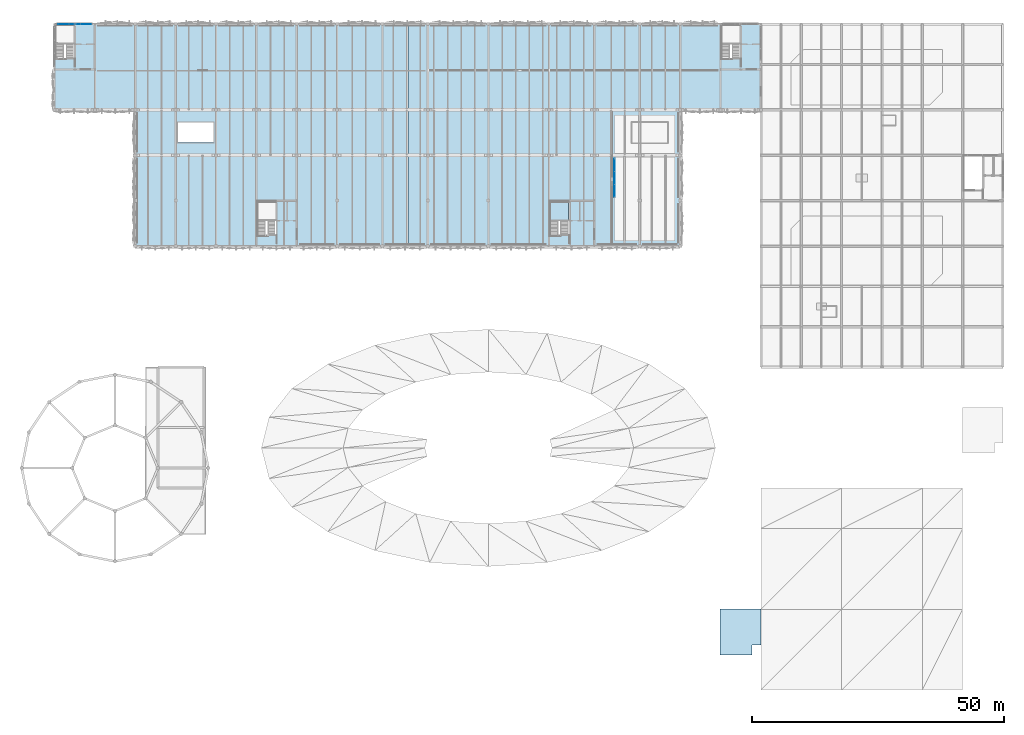
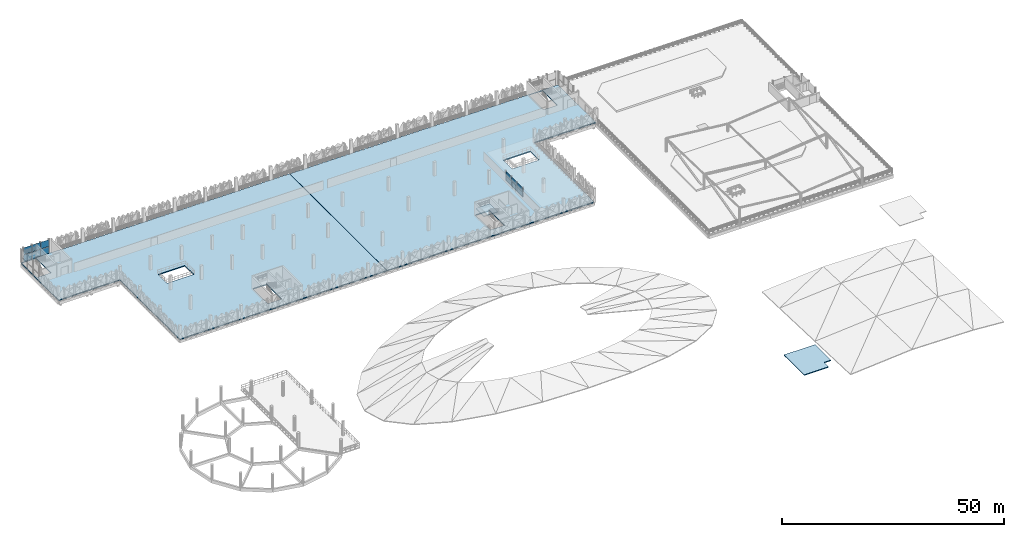
# One storey, part 22 of 52: 12 plates, 4 slabs, 3 elements without a shape of their own.
"""IFC4 building model written with IfcOpenShell, lengths in metres."""

import ifcopenshell
import ifcopenshell.guid

model = None  # the IFC model being written
_history = None  # IfcOwnerHistory: only IFC2X3 demands one
_inside = {}  # id of a spatial element -> (the spatial element, [elements in it])
_under = {}  # id of a project, library or spatial element -> (it, [spatial elements below it])
_declared = {}  # id of a project -> (the project, [libraries it declares])
_typed = {}  # id of a type object -> (the type object, [elements of that type])
_made_of = {}  # id of a material, layer set ... -> (it, [elements and type objects made of it])


def new_model(schema):
    """Start an empty IFC model of exactly this schema.

    Asked for "IFC4X3", IfcOpenShell would pick the latest addendum, in which some entities
    have other attributes; the version numbers below select the first issue.
    IFC2X3 requires an IfcOwnerHistory on every rooted entity: one is made here for all.
    """
    global model, _history
    if schema == "IFC4X3":
        model = ifcopenshell.file(schema_version=(4, 3, 0, 0))
    else:
        model = ifcopenshell.file(schema=schema)
    _inside.clear()
    _under.clear()
    _declared.clear()
    _typed.clear()
    _made_of.clear()
    _history = None
    if model.schema == "IFC2X3":
        org = make("IfcOrganization", Name="unknown")
        user = make(
            "IfcPersonAndOrganization",
            ThePerson=make("IfcPerson", FamilyName="unknown"),
            TheOrganization=org,
        )
        app = make(
            "IfcApplication",
            ApplicationDeveloper=org,
            Version="unknown",
            ApplicationFullName="unknown",
            ApplicationIdentifier="unknown",
        )
        _history = make(
            "IfcOwnerHistory",
            OwningUser=user,
            OwningApplication=app,
            ChangeAction="ADDED",
            CreationDate=0,
        )
    return model


def make(cls, **values):
    """One entity of the class cls with the attributes given. An attribute that is None is left unset."""
    return model.create_entity(
        cls, **{name: value for name, value in values.items() if value is not None}
    )


def rooted(cls, **values):
    """An entity with a GlobalId (a new one), such as an element, a storey or a relation."""
    return make(cls, GlobalId=ifcopenshell.guid.new(), OwnerHistory=_history, **values)


def si_unit(unit_type, name, prefix=None):
    """IfcSIUnit, for example si_unit("LENGTHUNIT", "METRE", prefix="MILLI")."""
    return make("IfcSIUnit", UnitType=unit_type, Prefix=prefix, Name=name)


def derived_unit(unit_type, elements):
    """IfcDerivedUnit: a product of units, each with its exponent."""
    return make(
        "IfcDerivedUnit",
        Elements=[
            make("IfcDerivedUnitElement", Unit=unit, Exponent=power)
            for unit, power in elements
        ],
        UnitType=unit_type,
    )


def assignment(units):
    """IfcUnitAssignment: the units of a project."""
    return None if units is None else make("IfcUnitAssignment", Units=units)


def point(xyz):
    """IfcCartesianPoint."""
    return None if xyz is None else make("IfcCartesianPoint", Coordinates=xyz)


def direction(xyz):
    """IfcDirection."""
    return None if xyz is None else make("IfcDirection", DirectionRatios=xyz)


def frame(location, z_axis=None, x_axis=None):
    """IfcAxis2Placement3D, a coordinate frame: its origin and axes. An axis left out is left unset."""
    return make(
        "IfcAxis2Placement3D",
        Location=point(location),
        Axis=direction(z_axis),
        RefDirection=direction(x_axis),
    )


def frame_2d(location, x_axis=None):
    """IfcAxis2Placement2D, a coordinate frame in the plane: its origin and x axis."""
    return make(
        "IfcAxis2Placement2D", Location=point(location), RefDirection=direction(x_axis)
    )


def origin():
    """The frame at (0, 0, 0) with its axes left unset."""
    return frame((0.0, 0.0, 0.0))


def origin_2d():
    """The frame at (0, 0) in the plane with its x axis left unset."""
    return frame_2d((0.0, 0.0))


def place(relative_to, where):
    """IfcLocalPlacement: puts the frame where relative to a parent placement (None: the world)."""
    return make(
        "IfcLocalPlacement", PlacementRelTo=relative_to, RelativePlacement=where
    )


def context(
    kind, dimensions, precision=None, world=None, true_north=None, identifier=None
):
    """IfcGeometricRepresentationContext, for example the 3D "Model" context."""
    return make(
        "IfcGeometricRepresentationContext",
        ContextIdentifier=identifier,
        ContextType=kind,
        CoordinateSpaceDimension=dimensions,
        Precision=precision,
        WorldCoordinateSystem=world,
        TrueNorth=true_north,
    )


def subcontext(parent, identifier, kind, view, scale=None):
    """IfcGeometricRepresentationSubContext, for example "Body" below "Model"."""
    return make(
        "IfcGeometricRepresentationSubContext",
        ContextIdentifier=identifier,
        ContextType=kind,
        ParentContext=parent,
        TargetScale=scale,
        TargetView=view,
    )


def project(units=None, contexts=None):
    """IfcProject with its units and contexts."""
    return rooted(
        "IfcProject",
        Name="project",
        RepresentationContexts=contexts,
        UnitsInContext=assignment(units),
    )


def spatial(cls, under=None, at=None, **own):
    """A site, building, storey or space (cls), placed at a placement, below another one or the project."""
    s = rooted(cls, ObjectPlacement=at, **own)
    if under is not None:
        _under.setdefault(under.id(), (under, []))[1].append(s)
    return s


def polyline(points):
    """IfcPolyline through the points."""
    return make("IfcPolyline", Points=[point(p) for p in points])


def profile(cls, at=None, kind="AREA", **sizes):
    """A parametric profile (cls). Its sizes go by their IFC names, for example OverallWidth=200.0."""
    return make(cls, ProfileType=kind, Position=at, **sizes)


def rectangle(**sizes):
    """IfcRectangleProfileDef."""
    return profile("IfcRectangleProfileDef", **sizes)


def outline(outer, holes=None, kind="AREA"):
    """IfcArbitraryClosedProfileDef: a profile drawn as a closed curve; with holes, ...WithVoids."""
    if holes is None:
        return make("IfcArbitraryClosedProfileDef", ProfileType=kind, OuterCurve=outer)
    return make(
        "IfcArbitraryProfileDefWithVoids",
        ProfileType=kind,
        OuterCurve=outer,
        InnerCurves=holes,
    )


def extrude(swept, where, along, depth):
    """IfcExtrudedAreaSolid: the profile swept, set in the frame where, extruded along a direction by depth."""
    return make(
        "IfcExtrudedAreaSolid",
        SweptArea=swept,
        Position=where,
        ExtrudedDirection=direction(along),
        Depth=depth,
    )


def shape(context_of_items, identifier, shape_type, items):
    """IfcShapeRepresentation: the items that make up one representation, for example the "Body"."""
    return make(
        "IfcShapeRepresentation",
        ContextOfItems=context_of_items,
        RepresentationIdentifier=identifier,
        RepresentationType=shape_type,
        Items=items,
    )


def material(Name=None, Category=None):
    """IfcMaterial."""
    return make("IfcMaterial", Name=Name, Category=Category)


def layer(
    of_material, thickness, ventilated=None, Name=None, Category=None, Priority=None
):
    """IfcMaterialLayer: one layer of a wall or slab, of a material (None: an air gap)."""
    return make(
        "IfcMaterialLayer",
        Material=of_material,
        LayerThickness=thickness,
        IsVentilated=ventilated,
        Name=Name,
        Category=Category,
        Priority=Priority,
    )


def layer_set(layers, Name=None):
    """IfcMaterialLayerSet."""
    return make("IfcMaterialLayerSet", MaterialLayers=layers, LayerSetName=Name)


def made_of(thing, what):
    """Note that an element or type object is made of a material, layer set ...; save() writes the relation."""
    if what is not None:
        _made_of.setdefault(what.id(), (what, []))[1].append(thing)
    return thing


def type_object(cls, material=None, **own):
    """A type object (cls), such as IfcWallType, which elements share."""
    return made_of(rooted(cls, **own), material)


def element(
    cls,
    number,
    at=None,
    inside=None,
    cuts=None,
    type_object=None,
    material=None,
    context=None,
    identifier="Body",
    shape_type=None,
    held_by="IfcProductDefinitionShape",
    body=None,
    shapes=None,
    **own,
):
    """One element of the class cls, such as IfcWall. Its Tag is "e" and its number.

    at: its placement. inside: the storey or other place that contains it. cuts: it is an
    opening in that element (IfcRelVoidsElement). A single representation is given by context,
    identifier, shape_type and body (its items); several are given by shapes. held_by: the class
    of the entity that holds the representations. save() writes the other relations.
    """
    e = rooted(cls, Tag="e%d" % number, ObjectPlacement=at, **own)
    if body is not None:
        shapes = [shape(context, identifier, shape_type, body)]
    if shapes is not None:
        e.Representation = make(held_by, Representations=shapes)
    if inside is not None:
        _inside.setdefault(inside.id(), (inside, []))[1].append(e)
    if cuts is not None:
        rooted(
            "IfcRelVoidsElement", RelatingBuildingElement=cuts, RelatedOpeningElement=e
        )
    if type_object is not None:
        _typed.setdefault(type_object.id(), (type_object, []))[1].append(e)
    return made_of(e, material)


def aggregate(whole, parts):
    """IfcRelAggregates: a whole, such as a stair, and the parts it consists of."""
    return rooted("IfcRelAggregates", RelatingObject=whole, RelatedObjects=parts)


def save(model, path):
    """Write the relations noted so far, then the file.

    IfcRelAggregates (storeys below a building ...), IfcRelContainedInSpatialStructure (elements
    in a storey), IfcRelDefinesByType, IfcRelAssociatesMaterial and IfcRelDeclares: one each for
    every whole, place, type object, material and project.
    """
    for whole, parts in _under.values():
        aggregate(whole, parts)
    for where, things in _inside.values():
        rooted(
            "IfcRelContainedInSpatialStructure",
            RelatedElements=things,
            RelatingStructure=where,
        )
    for kind, things in _typed.values():
        rooted("IfcRelDefinesByType", RelatedObjects=things, RelatingType=kind)
    for what, things in _made_of.values():
        rooted("IfcRelAssociatesMaterial", RelatedObjects=things, RelatingMaterial=what)
    for by, libraries in _declared.values():
        rooted("IfcRelDeclares", RelatingContext=by, RelatedDefinitions=libraries)
    model.write(path)


model = new_model("IFC4")

# Units and contexts
model_context = context("Model", 3, precision=1e-05, world=origin(), true_north=direction((0.0, 1.0)))
body_context = subcontext(model_context, "Body", "Model", "MODEL_VIEW")
ifc_project = project(units=[si_unit("LENGTHUNIT", "METRE"), si_unit("AREAUNIT", "SQUARE_METRE"), si_unit("VOLUMEUNIT", "CUBIC_METRE"), si_unit("PLANEANGLEUNIT", "RADIAN"), si_unit("MASSUNIT", "GRAM", prefix="KILO"), si_unit("THERMODYNAMICTEMPERATUREUNIT", "KELVIN"), derived_unit("THERMALTRANSMITTANCEUNIT", [(si_unit("POWERUNIT", "WATT"), 1), (si_unit("AREAUNIT", "SQUARE_METRE"), -1), (si_unit("THERMODYNAMICTEMPERATUREUNIT", "KELVIN"), -1)])], contexts=[model_context])

# Site, building, storey
site_placement = place(None, origin())
site = spatial("IfcSite", under=ifc_project, at=site_placement, CompositionType="ELEMENT")
building_placement = place(site_placement, origin())
building = spatial("IfcBuilding", under=site, at=building_placement, Name="Haiyu Intermodal Mobility Hub", CompositionType="ELEMENT")
storey_placement = place(building_placement, frame((0.0, 0.0, 21.199951171875)))
storey = spatial("IfcBuildingStorey", under=building, at=storey_placement, Name="L05", CompositionType="ELEMENT", Elevation=21.199951171875)

# Curtain wall, plates
ifc_material_1 = material(Name="Low-e laminated insulating glass", Category="glass")
ifc_layer_1 = layer(ifc_material_1, 0.199951171875)
ifc_layer_set_1 = layer_set([ifc_layer_1], Name="Low-e laminated insulating glass")
curtain_wall_type_1 = type_object("IfcCurtainWallType", Name="CW-CW03", PredefinedType="NOTDEFINED", material=ifc_layer_set_1)
curtain_wall_1_placement = place(storey_placement, origin())
curtain_wall_1 = element("IfcCurtainWall", 1, at=curtain_wall_1_placement, inside=storey, type_object=curtain_wall_type_1, Name="Curtain Wall CW-C3N-L05-059", PredefinedType="NOTDEFINED")
ifc_layer_2 = layer(ifc_material_1, 0.0400390625)
ifc_layer_set_2 = layer_set([ifc_layer_2], Name="Low-e laminated insulating glass")
plate_type_1 = type_object("IfcPlateType", Name="PLT-CP03", PredefinedType="CURTAIN_PANEL", material=ifc_layer_set_2)
plate_1_placement = place(storey_placement, frame((28.22705078125, 148.0, 0.03515625), z_axis=(0.0, 0.0, 1.0), x_axis=(-1.0, 0.0, 0.0)))
plate_1 = element("IfcPlate", 2, at=plate_1_placement, type_object=plate_type_1, Name="CW-C3N-L05-059-PN01", PredefinedType="CURTAIN_PANEL", context=body_context, shape_type="SweptSolid", body=[
    extrude(rectangle(XDim=2.136962890625, YDim=0.0400390625, at=origin_2d()), origin(), (0.0, 0.0, 1.0), 1.840087890625),
])
plate_2_placement = place(storey_placement, frame((26.0, 148.0, 0.03515625), z_axis=(0.0, 0.0, 1.0), x_axis=(-1.0, 0.0, 0.0)))
plate_2 = element("IfcPlate", 3, at=plate_2_placement, type_object=plate_type_1, Name="CW-C3N-L05-059-PN03", PredefinedType="CURTAIN_PANEL", context=body_context, shape_type="SweptSolid", body=[
    extrude(rectangle(XDim=2.136962890625, YDim=0.0400390625, at=origin_2d()), origin(), (0.0, 0.0, 1.0), 1.840087890625),
])
plate_3_placement = place(storey_placement, frame((23.77294921875, 148.0, 0.03515625), z_axis=(0.0, 0.0, 1.0), x_axis=(-1.0, 0.0, 0.0)))
plate_3 = element("IfcPlate", 4, at=plate_3_placement, type_object=plate_type_1, Name="CW-C3N-L05-059-PN05", PredefinedType="CURTAIN_PANEL", context=body_context, shape_type="SweptSolid", body=[
    extrude(rectangle(XDim=2.136962890625, YDim=0.0400390625, at=origin_2d()), origin(), (0.0, 0.0, 1.0), 1.840087890625),
])

ifc_layer_3 = layer(ifc_material_1, 0.179931640625)
ifc_layer_set_3 = layer_set([ifc_layer_3], Name="Low-e laminated insulating glass")
curtain_wall_type_2 = type_object("IfcCurtainWallType", Name="CW-CW06", PredefinedType="NOTDEFINED", material=ifc_layer_set_3)
curtain_wall_2_placement = place(storey_placement, origin())
curtain_wall_2 = element("IfcCurtainWall", 5, at=curtain_wall_2_placement, inside=storey, type_object=curtain_wall_type_2, Name="Curtain Wall CW-INT-07", PredefinedType="NOTDEFINED")
ifc_layer_4 = layer(ifc_material_1, 0.0400390625)
ifc_layer_set_4 = layer_set([ifc_layer_4], Name="Low-e laminated insulating glass")
plate_type_2 = type_object("IfcPlateType", Name="PLT-CP03-INT", PredefinedType="CURTAIN_PANEL", material=ifc_layer_set_4)
plate_4_placement = place(storey_placement, frame((133.0, 114.9599609375, 0.035400390625), z_axis=(0.0, 0.0, 1.0), x_axis=(0.0, 1.0, 0.0)))
plate_4 = element("IfcPlate", 6, at=plate_4_placement, type_object=plate_type_2, Name="CW-INT-07-PN01", PredefinedType="CURTAIN_PANEL", context=body_context, shape_type="SweptSolid", body=[
    extrude(rectangle(XDim=2.449951171875, YDim=0.0400390625, at=origin_2d()), origin(), (0.0, 0.0, 1.0), 1.205078125),
])
plate_5_placement = place(storey_placement, frame((133.0, 114.9599609375, 1.3095703125), z_axis=(0.0, 0.0, 1.0), x_axis=(0.0, 1.0, 0.0)))
plate_5 = element("IfcPlate", 7, at=plate_5_placement, type_object=plate_type_2, Name="CW-INT-07-PN02", PredefinedType="CURTAIN_PANEL", context=body_context, shape_type="SweptSolid", body=[
    extrude(rectangle(XDim=2.449951171875, YDim=0.0400390625, at=origin_2d()), origin(), (0.0, 0.0, 1.0), 1.205078125),
])
plate_6_placement = place(storey_placement, frame((133.0, 117.5, 0.035400390625), z_axis=(0.0, 0.0, 1.0), x_axis=(0.0, 1.0, 0.0)))
plate_6 = element("IfcPlate", 8, at=plate_6_placement, type_object=plate_type_2, Name="CW-INT-07-PN03", PredefinedType="CURTAIN_PANEL", context=body_context, shape_type="SweptSolid", body=[
    extrude(rectangle(XDim=2.449951171875, YDim=0.0400390625, at=origin_2d()), origin(), (0.0, 0.0, 1.0), 1.205078125),
])
plate_7_placement = place(storey_placement, frame((133.0, 117.5, 1.3095703125), z_axis=(0.0, 0.0, 1.0), x_axis=(0.0, 1.0, 0.0)))
plate_7 = element("IfcPlate", 9, at=plate_7_placement, type_object=plate_type_2, Name="CW-INT-07-PN04", PredefinedType="CURTAIN_PANEL", context=body_context, shape_type="SweptSolid", body=[
    extrude(rectangle(XDim=2.449951171875, YDim=0.0400390625, at=origin_2d()), origin(), (0.0, 0.0, 1.0), 1.205078125),
])
plate_8_placement = place(storey_placement, frame((133.0, 120.0400390625, 0.035400390625), z_axis=(0.0, 0.0, 1.0), x_axis=(0.0, 1.0, 0.0)))
plate_8 = element("IfcPlate", 10, at=plate_8_placement, type_object=plate_type_2, Name="CW-INT-07-PN05", PredefinedType="CURTAIN_PANEL", context=body_context, shape_type="SweptSolid", body=[
    extrude(rectangle(XDim=2.449951171875, YDim=0.0400390625, at=origin_2d()), origin(), (0.0, 0.0, 1.0), 1.205078125),
])
plate_9_placement = place(storey_placement, frame((133.0, 120.0400390625, 1.3095703125), z_axis=(0.0, 0.0, 1.0), x_axis=(0.0, 1.0, 0.0)))
plate_9 = element("IfcPlate", 11, at=plate_9_placement, type_object=plate_type_2, Name="CW-INT-07-PN06", PredefinedType="CURTAIN_PANEL", context=body_context, shape_type="SweptSolid", body=[
    extrude(rectangle(XDim=2.449951171875, YDim=0.0400390625, at=origin_2d()), origin(), (0.0, 0.0, 1.0), 1.205078125),
])
aggregate(curtain_wall_2, [plate_4, plate_5, plate_6, plate_7, plate_8, plate_9])

# Plate
ifc_layer_5 = layer(ifc_material_1, 0.0439453125)
ifc_layer_set_5 = layer_set([ifc_layer_5], Name="Low-e laminated insulating glass")
plate_type_3 = type_object("IfcPlateType", Name="PLT-CP04", PredefinedType="CURTAIN_PANEL", material=ifc_layer_set_5)
plate_10_placement = place(storey_placement, frame((28.22705078125, 148.0, 1.94482421875), z_axis=(0.0, 0.0, 1.0), x_axis=(-1.0, 0.0, 0.0)))
plate_10 = element("IfcPlate", 12, at=plate_10_placement, type_object=plate_type_3, Name="CW-C3N-L05-059-PN02", PredefinedType="CURTAIN_PANEL", context=body_context, shape_type="SweptSolid", body=[
    extrude(rectangle(XDim=2.136962890625, YDim=0.0439453125, at=origin_2d()), origin(), (0.0, 0.0, 1.0), 1.840087890625),
])

plate_11_placement = place(storey_placement, frame((26.0, 148.0, 1.94482421875), z_axis=(0.0, 0.0, 1.0), x_axis=(-1.0, 0.0, 0.0)))
plate_11 = element("IfcPlate", 13, at=plate_11_placement, type_object=plate_type_3, Name="CW-C3N-L05-059-PN04", PredefinedType="CURTAIN_PANEL", context=body_context, shape_type="SweptSolid", body=[
    extrude(rectangle(XDim=2.136962890625, YDim=0.0439453125, at=origin_2d()), origin(), (0.0, 0.0, 1.0), 1.840087890625),
])

plate_12_placement = place(storey_placement, frame((23.77294921875, 148.0, 1.94482421875), z_axis=(0.0, 0.0, 1.0), x_axis=(-1.0, 0.0, 0.0)))
plate_12 = element("IfcPlate", 14, at=plate_12_placement, type_object=plate_type_3, Name="CW-C3N-L05-059-PN06", PredefinedType="CURTAIN_PANEL", context=body_context, shape_type="SweptSolid", body=[
    extrude(rectangle(XDim=2.136962890625, YDim=0.0439453125, at=origin_2d()), origin(), (0.0, 0.0, 1.0), 1.840087890625),
])

aggregate(curtain_wall_1, [plate_1, plate_10, plate_2, plate_11, plate_3, plate_12])

# Slabs
ifc_material_2 = material(Name="Concrete C40", Category="concrete")
ifc_layer_6 = layer(ifc_material_2, 0.219970703125)
ifc_layer_set_6 = layer_set([ifc_layer_6], Name="Concrete C40")
slab_type_1 = type_object("IfcSlabType", Name="SLB-SL04", PredefinedType="FLOOR", material=ifc_layer_set_6)
slab_1_placement = place(storey_placement, frame((0.0, 0.0, -0.264892578125)))
element("IfcSlab", 15, at=slab_1_placement, inside=storey, type_object=slab_type_1, Name="L05 Precast Parking West Deck", PredefinedType="FLOOR", context=body_context, shape_type="SweptSolid", body=[
    extrude(outline(polyline([(38.0, 104.0), (91.97998046875, 104.0), (91.97998046875, 148.0), (22.0, 148.0), (22.0, 131.0), (38.0, 131.0), (38.0, 104.0)]), holes=[polyline([(22.219970703125, 141.14990234375), (25.85009765625, 141.14990234375), (25.85009765625, 147.949951171875), (22.219970703125, 147.949951171875), (22.219970703125, 141.14990234375)]), polyline([(62.219970703125, 106.14990234375), (65.85009765625, 106.14990234375), (65.85009765625, 112.949951171875), (62.219970703125, 112.949951171875), (62.219970703125, 106.14990234375)]), polyline([(46.5, 124.5), (53.5, 124.5), (53.5, 128.5), (46.5, 128.5), (46.5, 124.5)])]), origin(), (0.0, 0.0, 1.0), 0.264892578125),
])
ifc_layer_7 = layer(ifc_material_2, 0.239990234375)
ifc_layer_set_7 = layer_set([ifc_layer_7], Name="Concrete C40")
slab_type_2 = type_object("IfcSlabType", Name="SLB-SL05", PredefinedType="FLOOR", material=ifc_layer_set_7)
slab_2_placement = place(storey_placement, frame((0.0, 0.0, -0.27001953125)))
element("IfcSlab", 16, at=slab_2_placement, inside=storey, type_object=slab_type_2, Name="L05 Precast Parking & EV East Deck", PredefinedType="FLOOR", context=body_context, shape_type="SweptSolid", body=[
    extrude(outline(polyline([(92.02001953125, 104.0), (146.0, 104.0), (146.0, 131.0), (162.0, 131.0), (162.0, 148.0), (92.02001953125, 148.0), (92.02001953125, 104.0)]), holes=[polyline([(154.219970703125, 141.14990234375), (157.85009765625, 141.14990234375), (157.85009765625, 147.949951171875), (154.219970703125, 147.949951171875), (154.219970703125, 141.14990234375)]), polyline([(120.219970703125, 106.14990234375), (123.85009765625, 106.14990234375), (123.85009765625, 112.949951171875), (120.219970703125, 112.949951171875), (120.219970703125, 106.14990234375)]), polyline([(136.5, 124.5), (143.5, 124.5), (143.5, 128.5), (136.5, 128.5), (136.5, 124.5)])]), origin(), (0.0, 0.0, 1.0), 0.27001953125),
])
ifc_layer_8 = layer(ifc_material_2, 0.179931640625)
ifc_layer_set_8 = layer_set([ifc_layer_8], Name="Concrete C40")
slab_type_3 = type_object("IfcSlabType", Name="SLB-SL12", PredefinedType="ROOF", material=ifc_layer_set_8)
slab_3_placement = place(storey_placement, frame((0.0, 0.0, -1.5)))
element("IfcSlab", 17, at=slab_3_placement, inside=storey, type_object=slab_type_3, Name="Core C8 Skylight Headhouse Cap", PredefinedType="ROOF", context=body_context, shape_type="SweptSolid", body=[
    extrude(outline(polyline([(153.949951171875, 22.949951171875), (160.26806640625, 22.949951171875), (160.26806640625, 24.951904296875), (162.050048828125, 24.951904296875), (162.050048828125, 32.050048828125), (153.949951171875, 32.050048828125), (153.949951171875, 22.949951171875)])), origin(), (0.0, 0.0, 1.0), 0.219970703125),
])

# Stair, slab
stair_type = type_object("IfcStairType", Name="STR-ST02", PredefinedType="HALF_TURN_STAIR", material=ifc_material_2)
stair_placement = place(storey_placement, origin())
stair = element("IfcStair", 18, at=stair_placement, inside=storey, type_object=stair_type, Name="Exit Stair ST01 L05", PredefinedType="HALF_TURN_STAIR")
ifc_layer_9 = layer(ifc_material_2, 0.2099609375)
ifc_layer_set_9 = layer_set([ifc_layer_9], Name="Concrete C40")
slab_type_4 = type_object("IfcSlabType", Name="SLB-SL13", PredefinedType="LANDING", material=ifc_layer_set_9)
slab_4_placement = place(storey_placement, frame((0.0, 0.0, 1.739990234375)))
slab_4 = element("IfcSlab", 19, at=slab_4_placement, type_object=slab_type_4, Name="Stair Half-Landing STR-C6-L05-LND", PredefinedType="LANDING", context=body_context, shape_type="SweptSolid", body=[
    extrude(outline(polyline([(120.219970703125, 109.1298828125), (123.8701171875, 109.1298828125), (123.8701171875, 112.780029296875), (120.219970703125, 112.780029296875), (120.219970703125, 109.1298828125)])), origin(), (0.0, 0.0, 1.0), 0.2099609375),
])
aggregate(stair, [slab_4])

save(model, "model.ifc")
